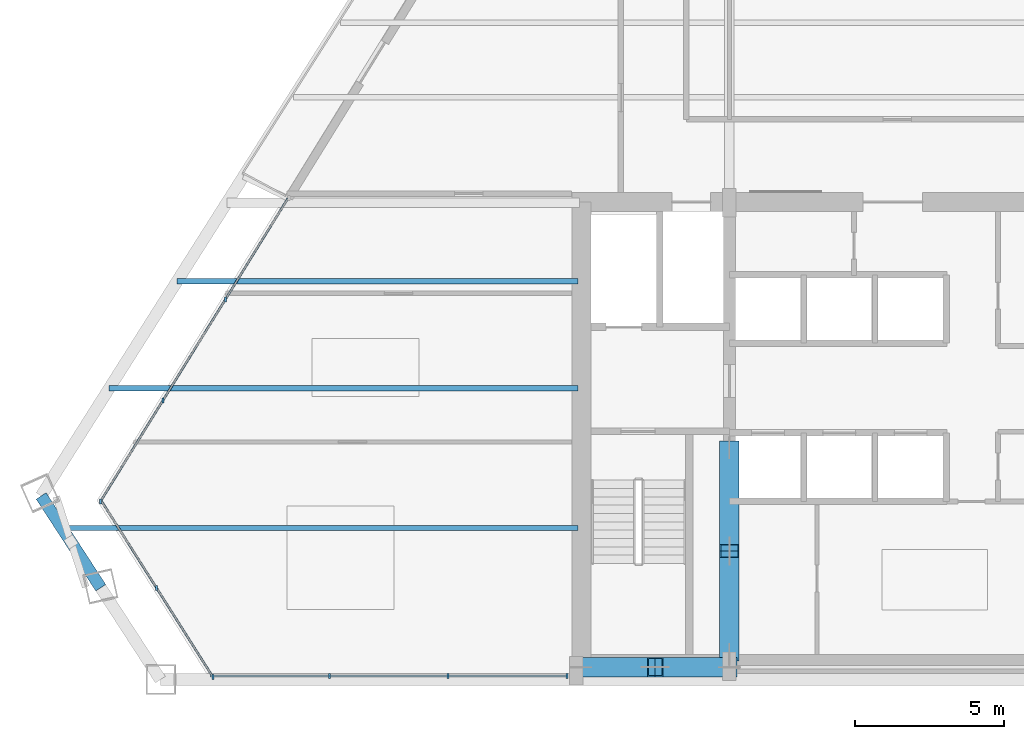
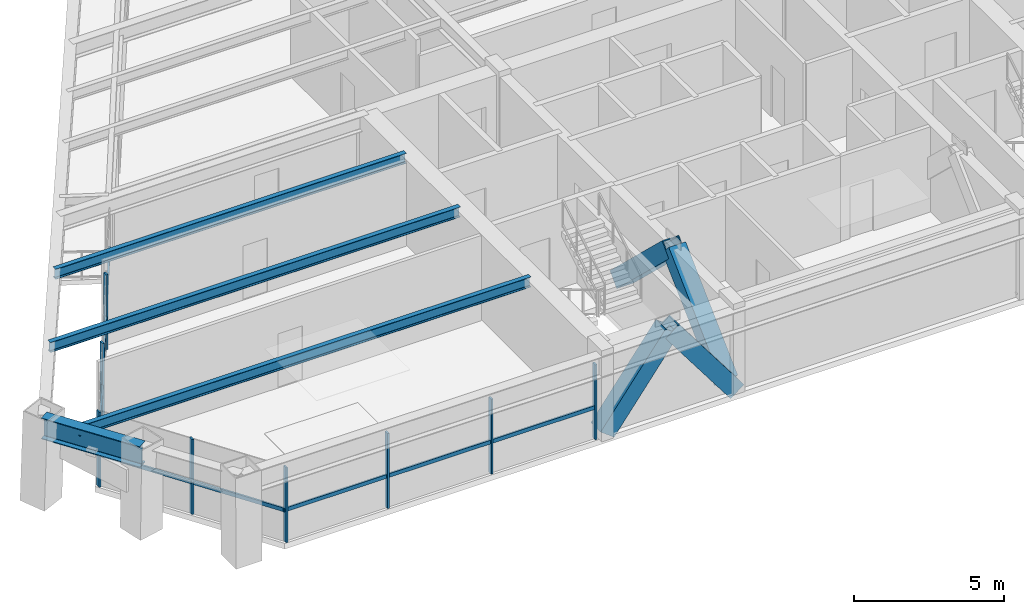
# One storey, part 2 of 15: 20 members, 4 beams, 3 elements without a shape of their own.
"""IFC4 building model written with IfcOpenShell, lengths in metres."""

from ifc_helpers import new_model, si_unit, direction, frame, origin, origin_2d, place, context, subcontext, project, spatial, rectangle, hollow_rectangle, i_section, extrude, source, transform, mapped, material, material_profile, profile_set, type_object, element, aggregate, save


model = new_model("IFC4")

# Units and contexts
model_context = context("Model", 3, precision=1e-05, world=origin(), true_north=direction((0.0, 1.0)))
body_context = subcontext(model_context, "Body", "Model", "MODEL_VIEW")
ifc_project = project(units=[si_unit("LENGTHUNIT", "METRE"), si_unit("AREAUNIT", "SQUARE_METRE"), si_unit("VOLUMEUNIT", "CUBIC_METRE"), si_unit("PLANEANGLEUNIT", "RADIAN"), si_unit("MASSUNIT", "GRAM", prefix="KILO")], contexts=[model_context])

# Site, building, storey
site_placement = place(None, origin())
site = spatial("IfcSite", under=ifc_project, at=site_placement, CompositionType="ELEMENT")
building_placement = place(site_placement, origin())
building = spatial("IfcBuilding", under=site, at=building_placement, Name="Varnakhor Terracotta Tower", CompositionType="ELEMENT")
storey_placement = place(building_placement, frame((0.0, 0.0, 189.5)))
storey = spatial("IfcBuildingStorey", under=building, at=storey_placement, Name="L48", CompositionType="ELEMENT", Elevation=189.5)

# Members
ifc_material_1 = material(Name="Steel S460", Category="steel")
ifc_material_profile_1 = material_profile(ifc_material_1, hollow_rectangle(XDim=0.64990234375, YDim=0.64990234375, WallThickness=0.0400390625, at=origin_2d()), Name="HSS650X650X40")
ifc_profile_set_1 = profile_set([ifc_material_profile_1], Name="Steel S460")
member_type_1 = type_object("IfcMemberType", Name="MBR-MEGA-650", PredefinedType="BRACE", material=ifc_profile_set_1)
shared_shape_1 = source(origin(), body_context, "Body", "SweptSolid", [
    extrude(hollow_rectangle(XDim=0.64990234375, YDim=0.64990234375, WallThickness=0.0400390625, at=origin_2d()), origin(), (0.0, 0.0, 1.0), 4.805908203125),
])
member_1_placement = place(storey_placement, frame((-5.5, 0.85009765625, 0.0), z_axis=(0.0, 0.723026776832, 0.69082000549), x_axis=(-1.0, 0.0, 0.0)))
element("IfcMember", 1, at=member_1_placement, inside=storey, type_object=member_type_1, Name="L48 Core Coupled Brace CWWA", PredefinedType="BRACE", context=body_context, shape_type="MappedRepresentation", body=[
    mapped(shared_shape_1, transform((0.0, 0.0, 0.0), scale=1.0)),
])
shared_shape_2 = source(origin(), body_context, "Body", "SweptSolid", [
    extrude(hollow_rectangle(XDim=0.64990234375, YDim=0.64990234375, WallThickness=0.0400390625, at=origin_2d()), origin(), (0.0, 0.0, 1.0), 4.156005859375),
])
for number, where, z_axis, x_axis, name in (
    (2, (-10.5, 0.419921875, 0.0), (0.601530923869, 0.0, 0.798849515009), (0.0, 1.0, 0.0), "L48 Core Coupled Brace CSWA"),
    (3, (-5.5, 0.419921875, 0.0), (-0.601530923869, 0.0, 0.798849515009), (0.0, -1.0, 0.0), "L48 Core Coupled Brace CSWB"),
):
    element("IfcMember", number, at=place(storey_placement, frame(where, z_axis=z_axis, x_axis=x_axis)), inside=storey, type_object=member_type_1, Name=name, PredefinedType="BRACE", context=body_context, shape_type="MappedRepresentation", body=[
        mapped(shared_shape_2, transform((0.0, 0.0, 0.0), scale=1.0)),
    ])
shared_shape_3 = source(origin(), body_context, "Body", "SweptSolid", [
    extrude(hollow_rectangle(XDim=0.64990234375, YDim=0.64990234375, WallThickness=0.0400390625, at=origin_2d()), origin(), (0.0, 0.0, 1.0), 4.80615234375),
])
member_2_placement = place(storey_placement, frame((-5.5, 7.800048828125, 0.0), z_axis=(0.0, -0.723051018573, 0.690794632681), x_axis=(1.0, 0.0, 0.0)))
element("IfcMember", 4, at=member_2_placement, inside=storey, type_object=member_type_1, Name="L48 Core Coupled Brace CWWB", PredefinedType="BRACE", context=body_context, shape_type="MappedRepresentation", body=[
    mapped(shared_shape_3, transform((0.0, 0.0, 0.0), scale=1.0)),
])

# Beams
ifc_material_2 = material(Name="Steel S355", Category="steel")
ifc_material_profile_2 = material_profile(ifc_material_2, i_section(OverallWidth=0.39990234375, OverallDepth=0.85498046875, WebThickness=0.01806640625, FlangeThickness=0.029052734375, FilletRadius=0.01806640625, at=origin_2d()), Name="W33X201")
ifc_profile_set_2 = profile_set([ifc_material_profile_2], Name="Steel S355")
beam_type_1 = type_object("IfcBeamType", Name="BM-W33X201", PredefinedType="BEAM", material=ifc_profile_set_2)
shared_shape_4 = source(origin(), body_context, "Body", "SweptSolid", [
    extrude(i_section(OverallWidth=0.39990234375, OverallDepth=0.85498046875, WebThickness=0.01806640625, FlangeThickness=0.029052734375, FilletRadius=0.01806640625, at=origin_2d()), origin(), (0.0, 0.0, 1.0), 3.684326171875),
])
beam_1_placement = place(storey_placement, frame((-28.659423828125, 6.1806640625, 3.04248046875), z_axis=(0.544489819928, -0.838767450486, 0.0), x_axis=(0.838767450486, 0.544489819928, 0.0)))
element("IfcBeam", 5, at=beam_1_placement, inside=storey, type_object=beam_type_1, Name="L48 Perimeter Spandrel 7", PredefinedType="BEAM", context=body_context, shape_type="MappedRepresentation", body=[
    mapped(shared_shape_4, transform((0.0, 0.0, 0.0), scale=1.0)),
])
ifc_material_profile_3 = material_profile(ifc_material_2, i_section(OverallWidth=0.179931640625, OverallDepth=0.4130859375, WebThickness=0.009765625, FlangeThickness=0.01611328125, FilletRadius=0.01806640625, at=origin_2d()), Name="W16X50")
ifc_profile_set_3 = profile_set([ifc_material_profile_3], Name="Steel S355")
beam_type_2 = type_object("IfcBeamType", Name="JST-W16X50", PredefinedType="JOIST", material=ifc_profile_set_3)
shared_shape_5 = source(origin(), body_context, "Body", "SweptSolid", [
    extrude(i_section(OverallWidth=0.179931640625, OverallDepth=0.4130859375, WebThickness=0.009765625, FlangeThickness=0.01611328125, FilletRadius=0.01806640625, at=origin_2d()), origin(), (0.0, 0.0, 1.0), 17.35791015625),
])
beam_2_placement = place(storey_placement, frame((-27.9580078125, 5.10009765625, 3.263427734375), z_axis=(1.0, 0.0, 0.0), x_axis=(0.0, 1.0, 0.0)))
element("IfcBeam", 6, at=beam_2_placement, inside=storey, type_object=beam_type_2, Name="L48 Floor Joist W1", PredefinedType="JOIST", context=body_context, shape_type="MappedRepresentation", body=[
    mapped(shared_shape_5, transform((0.0, 0.0, 0.0), scale=1.0)),
])
shared_shape_6 = source(origin(), body_context, "Body", "SweptSolid", [
    extrude(i_section(OverallWidth=0.179931640625, OverallDepth=0.4130859375, WebThickness=0.009765625, FlangeThickness=0.01611328125, FilletRadius=0.01806640625, at=origin_2d()), origin(), (0.0, 0.0, 1.0), 15.767578125),
])
beam_3_placement = place(storey_placement, frame((-26.36767578125, 9.800048828125, 3.263427734375), z_axis=(1.0, 0.0, 0.0), x_axis=(0.0, 1.0, 0.0)))
element("IfcBeam", 7, at=beam_3_placement, inside=storey, type_object=beam_type_2, Name="L48 Floor Joist W2", PredefinedType="JOIST", context=body_context, shape_type="MappedRepresentation", body=[
    mapped(shared_shape_6, transform((0.0, 0.0, 0.0), scale=1.0)),
])
shared_shape_7 = source(origin(), body_context, "Body", "SweptSolid", [
    extrude(i_section(OverallWidth=0.179931640625, OverallDepth=0.4130859375, WebThickness=0.009765625, FlangeThickness=0.01611328125, FilletRadius=0.01806640625, at=origin_2d()), origin(), (0.0, 0.0, 1.0), 13.48828125),
])
beam_4_placement = place(storey_placement, frame((-24.08837890625, 13.39990234375, 3.263427734375), z_axis=(1.0, 0.0, 0.0), x_axis=(0.0, 1.0, 0.0)))
element("IfcBeam", 8, at=beam_4_placement, inside=storey, type_object=beam_type_2, Name="L48 Floor Joist W3", PredefinedType="JOIST", context=body_context, shape_type="MappedRepresentation", body=[
    mapped(shared_shape_7, transform((0.0, 0.0, 0.0), scale=1.0)),
])

# Curtain wall, members
ifc_material_3 = material(Name="Anodised Aluminium Curtain Wall System", Category="aluminium")
curtain_wall_type = type_object("IfcCurtainWallType", Name="CW-SYS-MID-OFFICE", PredefinedType="NOTDEFINED", material=ifc_material_3)
curtain_wall_1_placement = place(storey_placement, origin())
curtain_wall_1 = element("IfcCurtainWall", 9, at=curtain_wall_1_placement, inside=storey, type_object=curtain_wall_type, Name="L48 W Facet Curtain Wall 1", PredefinedType="NOTDEFINED")
ifc_material_4 = material(Name="Anodised Aluminium 6063-T6", Category="aluminium")
ifc_material_profile_4 = material_profile(ifc_material_4, rectangle(XDim=0.070068359375, YDim=0.175048828125, at=origin_2d()), Name="ALU MULLION 70x175")
ifc_profile_set_4 = profile_set([ifc_material_profile_4], Name="Anodised Aluminium 6063-T6")
member_type_2 = type_object("IfcMemberType", Name="CWM-03", PredefinedType="MULLION", material=ifc_profile_set_4)
shared_shape_8 = source(origin(), body_context, "Body", "SweptSolid", [
    extrude(rectangle(XDim=0.070068359375, YDim=0.175048828125, at=origin_2d()), origin(), (0.0, 0.0, 1.0), 3.050048828125),
])
member_3_placement = place(storey_placement, frame((-26.664306640625, 5.990966796875, 0.0), z_axis=(0.0, 0.0, 1.0), x_axis=(1.0, 0.0, 0.0)))
member_3 = element("IfcMember", 10, at=member_3_placement, type_object=member_type_2, Name="L48 W Facet Curtain Wall 1 Mullion 1", PredefinedType="MULLION", context=body_context, shape_type="MappedRepresentation", body=[
    mapped(shared_shape_8, transform((0.0, 0.0, 0.0), scale=1.0)),
])
member_4_placement = place(storey_placement, frame((-24.561279296875, 9.392333984375, 0.0), z_axis=(0.0, 0.0, 1.0), x_axis=(1.0, 0.0, 0.0)))
member_4 = element("IfcMember", 11, at=member_4_placement, type_object=member_type_2, Name="L48 W Facet Curtain Wall 1 Mullion 2", PredefinedType="MULLION", context=body_context, shape_type="MappedRepresentation", body=[
    mapped(shared_shape_8, transform((0.0, 0.0, 0.0), scale=1.0)),
])
member_5_placement = place(storey_placement, frame((-22.4580078125, 12.793701171875, 0.0), z_axis=(0.0, 0.0, 1.0), x_axis=(1.0, 0.0, 0.0)))
member_5 = element("IfcMember", 12, at=member_5_placement, type_object=member_type_2, Name="L48 W Facet Curtain Wall 1 Mullion 3", PredefinedType="MULLION", context=body_context, shape_type="MappedRepresentation", body=[
    mapped(shared_shape_8, transform((0.0, 0.0, 0.0), scale=1.0)),
])

curtain_wall_2_placement = place(storey_placement, origin())
curtain_wall_2 = element("IfcCurtainWall", 13, at=curtain_wall_2_placement, inside=storey, type_object=curtain_wall_type, Name="L48 South Wing Curtain Wall SSW", PredefinedType="NOTDEFINED")
member_6_placement = place(storey_placement, frame((-10.969970703125, 0.1201171875, 0.0), z_axis=(0.0, 0.0, 1.0), x_axis=(1.0, 0.0, 0.0)))
member_6 = element("IfcMember", 14, at=member_6_placement, type_object=member_type_2, Name="L48 South Wing Curtain Wall SSW Mullion 1", PredefinedType="MULLION", context=body_context, shape_type="MappedRepresentation", body=[
    mapped(shared_shape_8, transform((0.0, 0.0, 0.0), scale=1.0)),
])
member_7_placement = place(storey_placement, frame((-14.96533203125, 0.1201171875, 0.0), z_axis=(0.0, 0.0, 1.0), x_axis=(1.0, 0.0, 0.0)))
member_7 = element("IfcMember", 15, at=member_7_placement, type_object=member_type_2, Name="L48 South Wing Curtain Wall SSW Mullion 2", PredefinedType="MULLION", context=body_context, shape_type="MappedRepresentation", body=[
    mapped(shared_shape_8, transform((0.0, 0.0, 0.0), scale=1.0)),
])
member_8_placement = place(storey_placement, frame((-18.960693359375, 0.1201171875, 0.0), z_axis=(0.0, 0.0, 1.0), x_axis=(1.0, 0.0, 0.0)))
member_8 = element("IfcMember", 16, at=member_8_placement, type_object=member_type_2, Name="L48 South Wing Curtain Wall SSW Mullion 3", PredefinedType="MULLION", context=body_context, shape_type="MappedRepresentation", body=[
    mapped(shared_shape_8, transform((0.0, 0.0, 0.0), scale=1.0)),
])

curtain_wall_3_placement = place(storey_placement, origin())
curtain_wall_3 = element("IfcCurtainWall", 17, at=curtain_wall_3_placement, inside=storey, type_object=curtain_wall_type, Name="L48 Facet Curtain Wall 6", PredefinedType="NOTDEFINED")
member_9_placement = place(storey_placement, frame((-22.880615234375, 0.089599609375, 0.0), z_axis=(0.0, 0.0, 1.0), x_axis=(1.0, 0.0, 0.0)))
member_9 = element("IfcMember", 18, at=member_9_placement, type_object=member_type_2, Name="L48 Facet Curtain Wall 6 Mullion 1", PredefinedType="MULLION", context=body_context, shape_type="MappedRepresentation", body=[
    mapped(shared_shape_8, transform((0.0, 0.0, 0.0), scale=1.0)),
])
member_10_placement = place(storey_placement, frame((-24.772705078125, 3.078369140625, 0.0), z_axis=(0.0, 0.0, 1.0), x_axis=(1.0, 0.0, 0.0)))
member_10 = element("IfcMember", 19, at=member_10_placement, type_object=member_type_2, Name="L48 Facet Curtain Wall 6 Mullion 2", PredefinedType="MULLION", context=body_context, shape_type="MappedRepresentation", body=[
    mapped(shared_shape_8, transform((0.0, 0.0, 0.0), scale=1.0)),
])

# Member
ifc_material_profile_5 = material_profile(ifc_material_4, rectangle(XDim=0.070068359375, YDim=0.155029296875, at=origin_2d()), Name="ALU TRANSOM 70x155")
ifc_profile_set_5 = profile_set([ifc_material_profile_5], Name="Anodised Aluminium 6063-T6")
member_type_3 = type_object("IfcMemberType", Name="CWT-03", PredefinedType="USERDEFINED", material=ifc_profile_set_5)
shared_shape_9 = source(origin(), body_context, "Body", "SweptSolid", [
    extrude(rectangle(XDim=0.070068359375, YDim=0.155029296875, at=origin_2d()), origin(), (0.0, 0.0, 1.0), 3.9990234375),
])
member_11_placement = place(storey_placement, frame((-26.664306640625, 5.990966796875, 1.281005859375), z_axis=(0.525887950351, 0.850553857011, 0.0), x_axis=(-0.850553857011, 0.525887950351, 0.0)))
member_11 = element("IfcMember", 20, at=member_11_placement, type_object=member_type_3, Name="L48 W Facet Curtain Wall 1 Transom 1", ObjectType="TRANSOM", PredefinedType="USERDEFINED", context=body_context, shape_type="MappedRepresentation", body=[
    mapped(shared_shape_9, transform((0.0, 0.0, 0.0), scale=1.0)),
])

member_12_placement = place(storey_placement, frame((-24.561279296875, 9.392333984375, 1.281005859375), z_axis=(0.525932114623, 0.85052654915, 0.0), x_axis=(-0.85052654915, 0.525932114623, 0.0)))
member_12 = element("IfcMember", 21, at=member_12_placement, type_object=member_type_3, Name="L48 W Facet Curtain Wall 1 Transom 2", ObjectType="TRANSOM", PredefinedType="USERDEFINED", context=body_context, shape_type="MappedRepresentation", body=[
    mapped(shared_shape_9, transform((0.0, 0.0, 0.0), scale=1.0)),
])

shared_shape_10 = source(origin(), body_context, "Body", "SweptSolid", [
    extrude(rectangle(XDim=0.070068359375, YDim=0.155029296875, at=origin_2d()), origin(), (0.0, 0.0, 1.0), 3.999267578125),
])
member_13_placement = place(storey_placement, frame((-22.4580078125, 12.793701171875, 1.281005859375), z_axis=(0.525860643907, 0.850570739674, 0.0), x_axis=(-0.850570739674, 0.525860643907, 0.0)))
member_13 = element("IfcMember", 22, at=member_13_placement, type_object=member_type_3, Name="L48 W Facet Curtain Wall 1 Transom 3", ObjectType="TRANSOM", PredefinedType="USERDEFINED", context=body_context, shape_type="MappedRepresentation", body=[
    mapped(shared_shape_10, transform((0.0, 0.0, 0.0), scale=1.0)),
])

aggregate(curtain_wall_1, [member_3, member_11, member_4, member_12, member_5, member_13])

shared_shape_11 = source(origin(), body_context, "Body", "SweptSolid", [
    extrude(rectangle(XDim=0.070068359375, YDim=0.155029296875, at=origin_2d()), origin(), (0.0, 0.0, 1.0), 3.995361328125),
])
member_14_placement = place(storey_placement, frame((-10.969970703125, 0.1201171875, 1.281005859375), z_axis=(-1.0, 0.0, 0.0), x_axis=(0.0, -1.0, 0.0)))
member_14 = element("IfcMember", 23, at=member_14_placement, type_object=member_type_3, Name="L48 South Wing Curtain Wall SSW Transom 1", ObjectType="TRANSOM", PredefinedType="USERDEFINED", context=body_context, shape_type="MappedRepresentation", body=[
    mapped(shared_shape_11, transform((0.0, 0.0, 0.0), scale=1.0)),
])

member_15_placement = place(storey_placement, frame((-14.96533203125, 0.1201171875, 1.281005859375), z_axis=(-1.0, 0.0, 0.0), x_axis=(0.0, -1.0, 0.0)))
member_15 = element("IfcMember", 24, at=member_15_placement, type_object=member_type_3, Name="L48 South Wing Curtain Wall SSW Transom 2", ObjectType="TRANSOM", PredefinedType="USERDEFINED", context=body_context, shape_type="MappedRepresentation", body=[
    mapped(shared_shape_11, transform((0.0, 0.0, 0.0), scale=1.0)),
])

member_16_placement = place(storey_placement, frame((-18.960693359375, 0.1201171875, 1.281005859375), z_axis=(-1.0, 0.0, 0.0), x_axis=(0.0, -1.0, 0.0)))
member_16 = element("IfcMember", 25, at=member_16_placement, type_object=member_type_3, Name="L48 South Wing Curtain Wall SSW Transom 3", ObjectType="TRANSOM", PredefinedType="USERDEFINED", context=body_context, shape_type="MappedRepresentation", body=[
    mapped(shared_shape_11, transform((0.0, 0.0, 0.0), scale=1.0)),
])

aggregate(curtain_wall_2, [member_6, member_14, member_7, member_15, member_8, member_16])

shared_shape_12 = source(origin(), body_context, "Body", "SweptSolid", [
    extrude(rectangle(XDim=0.070068359375, YDim=0.155029296875, at=origin_2d()), origin(), (0.0, 0.0, 1.0), 3.537353515625),
])
member_17_placement = place(storey_placement, frame((-22.880615234375, 0.089599609375, 1.281005859375), z_axis=(-0.53489115669, 0.844920972929, 0.0), x_axis=(-0.844920972929, -0.53489115669, 0.0)))
member_17 = element("IfcMember", 26, at=member_17_placement, type_object=member_type_3, Name="L48 Facet Curtain Wall 6 Transom 1", ObjectType="TRANSOM", PredefinedType="USERDEFINED", context=body_context, shape_type="MappedRepresentation", body=[
    mapped(shared_shape_12, transform((0.0, 0.0, 0.0), scale=1.0)),
])

shared_shape_13 = source(origin(), body_context, "Body", "SweptSolid", [
    extrude(rectangle(XDim=0.070068359375, YDim=0.155029296875, at=origin_2d()), origin(), (0.0, 0.0, 1.0), 3.53759765625),
])
member_18_placement = place(storey_placement, frame((-24.772705078125, 3.078369140625, 1.281005859375), z_axis=(-0.534859966001, 0.844940717903, 0.0), x_axis=(-0.844940717903, -0.534859966001, 0.0)))
member_18 = element("IfcMember", 27, at=member_18_placement, type_object=member_type_3, Name="L48 Facet Curtain Wall 6 Transom 2", ObjectType="TRANSOM", PredefinedType="USERDEFINED", context=body_context, shape_type="MappedRepresentation", body=[
    mapped(shared_shape_13, transform((0.0, 0.0, 0.0), scale=1.0)),
])

aggregate(curtain_wall_3, [member_9, member_17, member_10, member_18])

save(model, "model.ifc")
